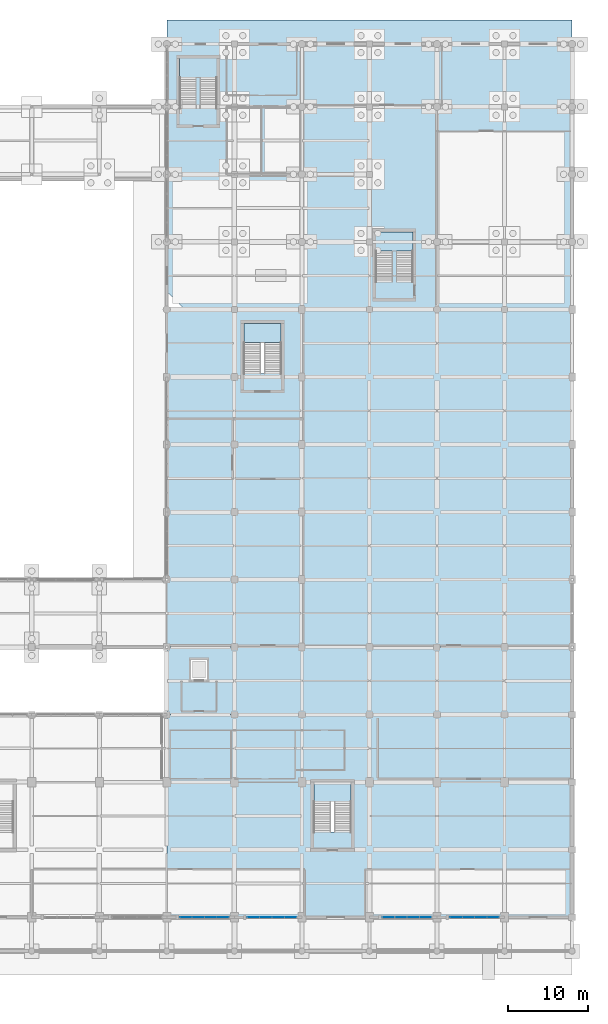
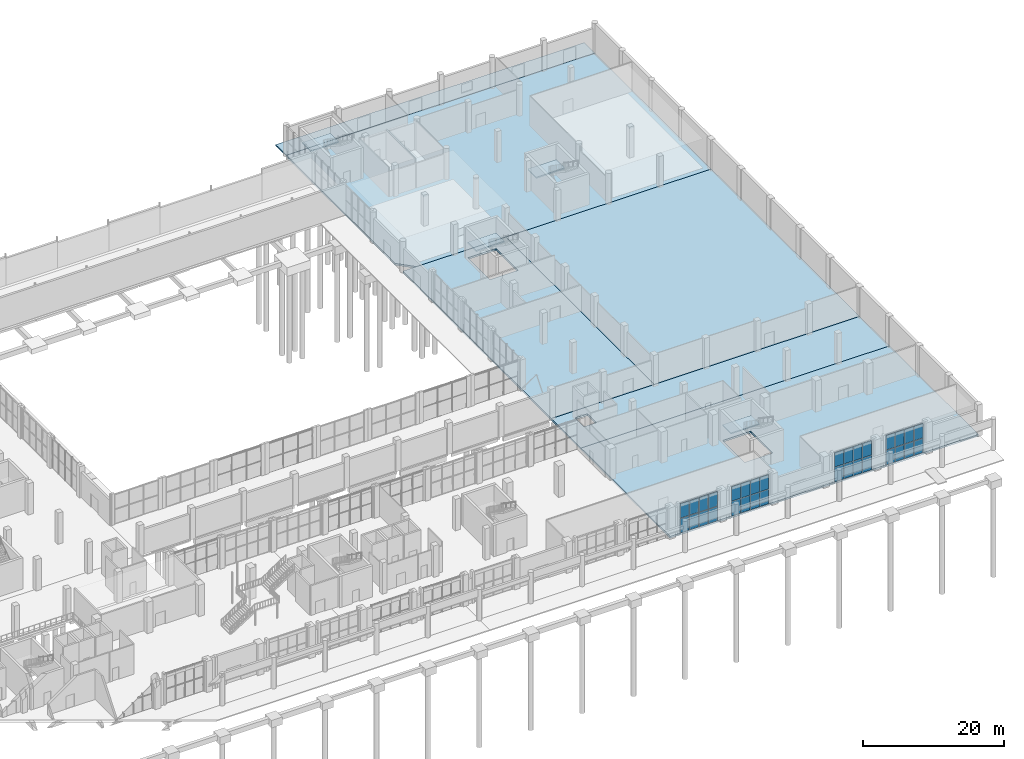
# One storey, part 60 of 82: 32 plates, 10 slabs, 8 elements without a shape of their own.
"""IFC4 building model written with IfcOpenShell, lengths in metres."""

import ifcopenshell
import ifcopenshell.guid

model = None  # the IFC model being written
_history = None  # IfcOwnerHistory: only IFC2X3 demands one
_inside = {}  # id of a spatial element -> (the spatial element, [elements in it])
_under = {}  # id of a project, library or spatial element -> (it, [spatial elements below it])
_declared = {}  # id of a project -> (the project, [libraries it declares])
_typed = {}  # id of a type object -> (the type object, [elements of that type])
_made_of = {}  # id of a material, layer set ... -> (it, [elements and type objects made of it])


def new_model(schema):
    """Start an empty IFC model of exactly this schema.

    Asked for "IFC4X3", IfcOpenShell would pick the latest addendum, in which some entities
    have other attributes; the version numbers below select the first issue.
    IFC2X3 requires an IfcOwnerHistory on every rooted entity: one is made here for all.
    """
    global model, _history
    if schema == "IFC4X3":
        model = ifcopenshell.file(schema_version=(4, 3, 0, 0))
    else:
        model = ifcopenshell.file(schema=schema)
    _inside.clear()
    _under.clear()
    _declared.clear()
    _typed.clear()
    _made_of.clear()
    _history = None
    if model.schema == "IFC2X3":
        org = make("IfcOrganization", Name="unknown")
        user = make(
            "IfcPersonAndOrganization",
            ThePerson=make("IfcPerson", FamilyName="unknown"),
            TheOrganization=org,
        )
        app = make(
            "IfcApplication",
            ApplicationDeveloper=org,
            Version="unknown",
            ApplicationFullName="unknown",
            ApplicationIdentifier="unknown",
        )
        _history = make(
            "IfcOwnerHistory",
            OwningUser=user,
            OwningApplication=app,
            ChangeAction="ADDED",
            CreationDate=0,
        )
    return model


def make(cls, **values):
    """One entity of the class cls with the attributes given. An attribute that is None is left unset."""
    return model.create_entity(
        cls, **{name: value for name, value in values.items() if value is not None}
    )


def rooted(cls, **values):
    """An entity with a GlobalId (a new one), such as an element, a storey or a relation."""
    return make(cls, GlobalId=ifcopenshell.guid.new(), OwnerHistory=_history, **values)


def si_unit(unit_type, name, prefix=None):
    """IfcSIUnit, for example si_unit("LENGTHUNIT", "METRE", prefix="MILLI")."""
    return make("IfcSIUnit", UnitType=unit_type, Prefix=prefix, Name=name)


def derived_unit(unit_type, elements):
    """IfcDerivedUnit: a product of units, each with its exponent."""
    return make(
        "IfcDerivedUnit",
        Elements=[
            make("IfcDerivedUnitElement", Unit=unit, Exponent=power)
            for unit, power in elements
        ],
        UnitType=unit_type,
    )


def assignment(units):
    """IfcUnitAssignment: the units of a project."""
    return None if units is None else make("IfcUnitAssignment", Units=units)


def point(xyz):
    """IfcCartesianPoint."""
    return None if xyz is None else make("IfcCartesianPoint", Coordinates=xyz)


def direction(xyz):
    """IfcDirection."""
    return None if xyz is None else make("IfcDirection", DirectionRatios=xyz)


def frame(location, z_axis=None, x_axis=None):
    """IfcAxis2Placement3D, a coordinate frame: its origin and axes. An axis left out is left unset."""
    return make(
        "IfcAxis2Placement3D",
        Location=point(location),
        Axis=direction(z_axis),
        RefDirection=direction(x_axis),
    )


def frame_2d(location, x_axis=None):
    """IfcAxis2Placement2D, a coordinate frame in the plane: its origin and x axis."""
    return make(
        "IfcAxis2Placement2D", Location=point(location), RefDirection=direction(x_axis)
    )


def origin():
    """The frame at (0, 0, 0) with its axes left unset."""
    return frame((0.0, 0.0, 0.0))


def origin_2d():
    """The frame at (0, 0) in the plane with its x axis left unset."""
    return frame_2d((0.0, 0.0))


def place(relative_to, where):
    """IfcLocalPlacement: puts the frame where relative to a parent placement (None: the world)."""
    return make(
        "IfcLocalPlacement", PlacementRelTo=relative_to, RelativePlacement=where
    )


def context(
    kind, dimensions, precision=None, world=None, true_north=None, identifier=None
):
    """IfcGeometricRepresentationContext, for example the 3D "Model" context."""
    return make(
        "IfcGeometricRepresentationContext",
        ContextIdentifier=identifier,
        ContextType=kind,
        CoordinateSpaceDimension=dimensions,
        Precision=precision,
        WorldCoordinateSystem=world,
        TrueNorth=true_north,
    )


def subcontext(parent, identifier, kind, view, scale=None):
    """IfcGeometricRepresentationSubContext, for example "Body" below "Model"."""
    return make(
        "IfcGeometricRepresentationSubContext",
        ContextIdentifier=identifier,
        ContextType=kind,
        ParentContext=parent,
        TargetScale=scale,
        TargetView=view,
    )


def project(units=None, contexts=None):
    """IfcProject with its units and contexts."""
    return rooted(
        "IfcProject",
        Name="project",
        RepresentationContexts=contexts,
        UnitsInContext=assignment(units),
    )


def spatial(cls, under=None, at=None, **own):
    """A site, building, storey or space (cls), placed at a placement, below another one or the project."""
    s = rooted(cls, ObjectPlacement=at, **own)
    if under is not None:
        _under.setdefault(under.id(), (under, []))[1].append(s)
    return s


def polyline(points):
    """IfcPolyline through the points."""
    return make("IfcPolyline", Points=[point(p) for p in points])


def profile(cls, at=None, kind="AREA", **sizes):
    """A parametric profile (cls). Its sizes go by their IFC names, for example OverallWidth=200.0."""
    return make(cls, ProfileType=kind, Position=at, **sizes)


def rectangle(**sizes):
    """IfcRectangleProfileDef."""
    return profile("IfcRectangleProfileDef", **sizes)


def outline(outer, holes=None, kind="AREA"):
    """IfcArbitraryClosedProfileDef: a profile drawn as a closed curve; with holes, ...WithVoids."""
    if holes is None:
        return make("IfcArbitraryClosedProfileDef", ProfileType=kind, OuterCurve=outer)
    return make(
        "IfcArbitraryProfileDefWithVoids",
        ProfileType=kind,
        OuterCurve=outer,
        InnerCurves=holes,
    )


def extrude(swept, where, along, depth):
    """IfcExtrudedAreaSolid: the profile swept, set in the frame where, extruded along a direction by depth."""
    return make(
        "IfcExtrudedAreaSolid",
        SweptArea=swept,
        Position=where,
        ExtrudedDirection=direction(along),
        Depth=depth,
    )


def shape(context_of_items, identifier, shape_type, items):
    """IfcShapeRepresentation: the items that make up one representation, for example the "Body"."""
    return make(
        "IfcShapeRepresentation",
        ContextOfItems=context_of_items,
        RepresentationIdentifier=identifier,
        RepresentationType=shape_type,
        Items=items,
    )


def material(Name=None, Category=None):
    """IfcMaterial."""
    return make("IfcMaterial", Name=Name, Category=Category)


def layer(
    of_material, thickness, ventilated=None, Name=None, Category=None, Priority=None
):
    """IfcMaterialLayer: one layer of a wall or slab, of a material (None: an air gap)."""
    return make(
        "IfcMaterialLayer",
        Material=of_material,
        LayerThickness=thickness,
        IsVentilated=ventilated,
        Name=Name,
        Category=Category,
        Priority=Priority,
    )


def layer_set(layers, Name=None):
    """IfcMaterialLayerSet."""
    return make("IfcMaterialLayerSet", MaterialLayers=layers, LayerSetName=Name)


def made_of(thing, what):
    """Note that an element or type object is made of a material, layer set ...; save() writes the relation."""
    if what is not None:
        _made_of.setdefault(what.id(), (what, []))[1].append(thing)
    return thing


def type_object(cls, material=None, **own):
    """A type object (cls), such as IfcWallType, which elements share."""
    return made_of(rooted(cls, **own), material)


def element(
    cls,
    number,
    at=None,
    inside=None,
    cuts=None,
    type_object=None,
    material=None,
    context=None,
    identifier="Body",
    shape_type=None,
    held_by="IfcProductDefinitionShape",
    body=None,
    shapes=None,
    **own,
):
    """One element of the class cls, such as IfcWall. Its Tag is "e" and its number.

    at: its placement. inside: the storey or other place that contains it. cuts: it is an
    opening in that element (IfcRelVoidsElement). A single representation is given by context,
    identifier, shape_type and body (its items); several are given by shapes. held_by: the class
    of the entity that holds the representations. save() writes the other relations.
    """
    e = rooted(cls, Tag="e%d" % number, ObjectPlacement=at, **own)
    if body is not None:
        shapes = [shape(context, identifier, shape_type, body)]
    if shapes is not None:
        e.Representation = make(held_by, Representations=shapes)
    if inside is not None:
        _inside.setdefault(inside.id(), (inside, []))[1].append(e)
    if cuts is not None:
        rooted(
            "IfcRelVoidsElement", RelatingBuildingElement=cuts, RelatedOpeningElement=e
        )
    if type_object is not None:
        _typed.setdefault(type_object.id(), (type_object, []))[1].append(e)
    return made_of(e, material)


def aggregate(whole, parts):
    """IfcRelAggregates: a whole, such as a stair, and the parts it consists of."""
    return rooted("IfcRelAggregates", RelatingObject=whole, RelatedObjects=parts)


def save(model, path):
    """Write the relations noted so far, then the file.

    IfcRelAggregates (storeys below a building ...), IfcRelContainedInSpatialStructure (elements
    in a storey), IfcRelDefinesByType, IfcRelAssociatesMaterial and IfcRelDeclares: one each for
    every whole, place, type object, material and project.
    """
    for whole, parts in _under.values():
        aggregate(whole, parts)
    for where, things in _inside.values():
        rooted(
            "IfcRelContainedInSpatialStructure",
            RelatedElements=things,
            RelatingStructure=where,
        )
    for kind, things in _typed.values():
        rooted("IfcRelDefinesByType", RelatedObjects=things, RelatingType=kind)
    for what, things in _made_of.values():
        rooted("IfcRelAssociatesMaterial", RelatedObjects=things, RelatingMaterial=what)
    for by, libraries in _declared.values():
        rooted("IfcRelDeclares", RelatingContext=by, RelatedDefinitions=libraries)
    model.write(path)


model = new_model("IFC4")

# Units and contexts
model_context = context("Model", 3, precision=1e-05, world=origin(), true_north=direction((0.0, 1.0)))
body_context = subcontext(model_context, "Body", "Model", "MODEL_VIEW")
ifc_project = project(units=[si_unit("LENGTHUNIT", "METRE"), si_unit("AREAUNIT", "SQUARE_METRE"), si_unit("VOLUMEUNIT", "CUBIC_METRE"), si_unit("PLANEANGLEUNIT", "RADIAN"), si_unit("MASSUNIT", "GRAM", prefix="KILO"), derived_unit("THERMALTRANSMITTANCEUNIT", [(si_unit("POWERUNIT", "WATT"), 1), (si_unit("LENGTHUNIT", "METRE"), -2), (si_unit("THERMODYNAMICTEMPERATUREUNIT", "KELVIN"), -1)])], contexts=[model_context])

# Site, building, storey
site_placement = place(None, origin())
site = spatial("IfcSite", under=ifc_project, at=site_placement, CompositionType="ELEMENT")
building_placement = place(site_placement, origin())
building = spatial("IfcBuilding", under=site, at=building_placement, Name="Barrovel Congress Hotel", CompositionType="ELEMENT")
storey_placement = place(building_placement, origin())
storey = spatial("IfcBuildingStorey", under=building, at=storey_placement, Name="L00", CompositionType="ELEMENT", Elevation=0.0)

# Curtain wall, plates
ifc_material_1 = material(Name="Anodised Aluminium Alloy 6063-T6", Category="aluminium")
curtain_wall_type = type_object("IfcCurtainWallType", Name="CW-ST-7200x4800", PredefinedType="USERDEFINED", material=ifc_material_1)
curtain_wall_1_placement = place(storey_placement, origin())
curtain_wall_1 = element("IfcCurtainWall", 1, at=curtain_wall_1_placement, inside=storey, type_object=curtain_wall_type, Name="CW:L00:S:16", ObjectType="STICK CURTAIN WALL", PredefinedType="USERDEFINED")
ifc_material_2 = material(Name="Double Low-E Insulated Glazing", Category="glass")
ifc_layer_1 = layer(ifc_material_2, 0.028076171875)
ifc_layer_set_1 = layer_set([ifc_layer_1], Name="Double Low-E Insulated Glazing")
plate_type_1 = type_object("IfcPlateType", Name="CWP-28", PredefinedType="CURTAIN_PANEL", material=ifc_layer_set_1)
plate_1_placement = place(storey_placement, frame((136.784912109375, 4.199951171875, 0.030029296875), z_axis=(0.0, 0.0, 1.0), x_axis=(1.0, 0.0, 0.0)))
plate_1 = element("IfcPlate", 2, at=plate_1_placement, type_object=plate_type_1, Name="CW:L00:S:16:P0-0", PredefinedType="CURTAIN_PANEL", context=body_context, shape_type="SweptSolid", body=[
    extrude(rectangle(XDim=1.469970703125, YDim=0.028076171875, at=origin_2d()), origin(), (0.0, 0.0, 1.0), 2.5),
])
plate_2_placement = place(storey_placement, frame((136.784912109375, 4.199951171875, 2.590087890625), z_axis=(0.0, 0.0, 1.0), x_axis=(1.0, 0.0, 0.0)))
plate_2 = element("IfcPlate", 3, at=plate_2_placement, type_object=plate_type_1, Name="CW:L00:S:16:P0-1", PredefinedType="CURTAIN_PANEL", context=body_context, shape_type="SweptSolid", body=[
    extrude(rectangle(XDim=1.469970703125, YDim=0.028076171875, at=origin_2d()), origin(), (0.0, 0.0, 1.0), 2.5),
])
plate_3_placement = place(storey_placement, frame((138.31494140625, 4.199951171875, 0.030029296875), z_axis=(0.0, 0.0, 1.0), x_axis=(1.0, 0.0, 0.0)))
plate_3 = element("IfcPlate", 4, at=plate_3_placement, type_object=plate_type_1, Name="CW:L00:S:16:P1-0", PredefinedType="CURTAIN_PANEL", context=body_context, shape_type="SweptSolid", body=[
    extrude(rectangle(XDim=1.469970703125, YDim=0.028076171875, at=origin_2d()), origin(), (0.0, 0.0, 1.0), 2.5),
])
plate_4_placement = place(storey_placement, frame((138.31494140625, 4.199951171875, 2.590087890625), z_axis=(0.0, 0.0, 1.0), x_axis=(1.0, 0.0, 0.0)))
plate_4 = element("IfcPlate", 5, at=plate_4_placement, type_object=plate_type_1, Name="CW:L00:S:16:P1-1", PredefinedType="CURTAIN_PANEL", context=body_context, shape_type="SweptSolid", body=[
    extrude(rectangle(XDim=1.469970703125, YDim=0.028076171875, at=origin_2d()), origin(), (0.0, 0.0, 1.0), 2.5),
])
plate_5_placement = place(storey_placement, frame((139.844970703125, 4.199951171875, 0.030029296875), z_axis=(0.0, 0.0, 1.0), x_axis=(1.0, 0.0, 0.0)))
plate_5 = element("IfcPlate", 6, at=plate_5_placement, type_object=plate_type_1, Name="CW:L00:S:16:P2-0", PredefinedType="CURTAIN_PANEL", context=body_context, shape_type="SweptSolid", body=[
    extrude(rectangle(XDim=1.469970703125, YDim=0.028076171875, at=origin_2d()), origin(), (0.0, 0.0, 1.0), 2.5),
])
plate_6_placement = place(storey_placement, frame((139.844970703125, 4.199951171875, 2.590087890625), z_axis=(0.0, 0.0, 1.0), x_axis=(1.0, 0.0, 0.0)))
plate_6 = element("IfcPlate", 7, at=plate_6_placement, type_object=plate_type_1, Name="CW:L00:S:16:P2-1", PredefinedType="CURTAIN_PANEL", context=body_context, shape_type="SweptSolid", body=[
    extrude(rectangle(XDim=1.469970703125, YDim=0.028076171875, at=origin_2d()), origin(), (0.0, 0.0, 1.0), 2.5),
])
plate_7_placement = place(storey_placement, frame((141.375, 4.199951171875, 0.030029296875), z_axis=(0.0, 0.0, 1.0), x_axis=(1.0, 0.0, 0.0)))
plate_7 = element("IfcPlate", 8, at=plate_7_placement, type_object=plate_type_1, Name="CW:L00:S:16:P3-0", PredefinedType="CURTAIN_PANEL", context=body_context, shape_type="SweptSolid", body=[
    extrude(rectangle(XDim=1.469970703125, YDim=0.028076171875, at=origin_2d()), origin(), (0.0, 0.0, 1.0), 2.5),
])
plate_8_placement = place(storey_placement, frame((141.375, 4.199951171875, 2.590087890625), z_axis=(0.0, 0.0, 1.0), x_axis=(1.0, 0.0, 0.0)))
plate_8 = element("IfcPlate", 9, at=plate_8_placement, type_object=plate_type_1, Name="CW:L00:S:16:P3-1", PredefinedType="CURTAIN_PANEL", context=body_context, shape_type="SweptSolid", body=[
    extrude(rectangle(XDim=1.469970703125, YDim=0.028076171875, at=origin_2d()), origin(), (0.0, 0.0, 1.0), 2.5),
])
aggregate(curtain_wall_1, [plate_1, plate_2, plate_3, plate_4, plate_5, plate_6, plate_7, plate_8])

curtain_wall_2_placement = place(storey_placement, origin())
curtain_wall_2 = element("IfcCurtainWall", 10, at=curtain_wall_2_placement, inside=storey, type_object=curtain_wall_type, Name="CW:L00:S:19", ObjectType="STICK CURTAIN WALL", PredefinedType="USERDEFINED")
plate_9_placement = place(storey_placement, frame((161.985107421875, 4.199951171875, 0.030029296875), z_axis=(0.0, 0.0, 1.0), x_axis=(1.0, 0.0, 0.0)))
plate_9 = element("IfcPlate", 11, at=plate_9_placement, type_object=plate_type_1, Name="CW:L00:S:19:P0-0", PredefinedType="CURTAIN_PANEL", context=body_context, shape_type="SweptSolid", body=[
    extrude(rectangle(XDim=1.469970703125, YDim=0.028076171875, at=origin_2d()), origin(), (0.0, 0.0, 1.0), 2.5),
])
plate_10_placement = place(storey_placement, frame((161.985107421875, 4.199951171875, 2.590087890625), z_axis=(0.0, 0.0, 1.0), x_axis=(1.0, 0.0, 0.0)))
plate_10 = element("IfcPlate", 12, at=plate_10_placement, type_object=plate_type_1, Name="CW:L00:S:19:P0-1", PredefinedType="CURTAIN_PANEL", context=body_context, shape_type="SweptSolid", body=[
    extrude(rectangle(XDim=1.469970703125, YDim=0.028076171875, at=origin_2d()), origin(), (0.0, 0.0, 1.0), 2.5),
])
plate_11_placement = place(storey_placement, frame((163.514892578125, 4.199951171875, 0.030029296875), z_axis=(0.0, 0.0, 1.0), x_axis=(1.0, 0.0, 0.0)))
plate_11 = element("IfcPlate", 13, at=plate_11_placement, type_object=plate_type_1, Name="CW:L00:S:19:P1-0", PredefinedType="CURTAIN_PANEL", context=body_context, shape_type="SweptSolid", body=[
    extrude(rectangle(XDim=1.469970703125, YDim=0.028076171875, at=origin_2d()), origin(), (0.0, 0.0, 1.0), 2.5),
])
plate_12_placement = place(storey_placement, frame((163.514892578125, 4.199951171875, 2.590087890625), z_axis=(0.0, 0.0, 1.0), x_axis=(1.0, 0.0, 0.0)))
plate_12 = element("IfcPlate", 14, at=plate_12_placement, type_object=plate_type_1, Name="CW:L00:S:19:P1-1", PredefinedType="CURTAIN_PANEL", context=body_context, shape_type="SweptSolid", body=[
    extrude(rectangle(XDim=1.469970703125, YDim=0.028076171875, at=origin_2d()), origin(), (0.0, 0.0, 1.0), 2.5),
])
plate_13_placement = place(storey_placement, frame((165.044921875, 4.199951171875, 0.030029296875), z_axis=(0.0, 0.0, 1.0), x_axis=(1.0, 0.0, 0.0)))
plate_13 = element("IfcPlate", 15, at=plate_13_placement, type_object=plate_type_1, Name="CW:L00:S:19:P2-0", PredefinedType="CURTAIN_PANEL", context=body_context, shape_type="SweptSolid", body=[
    extrude(rectangle(XDim=1.469970703125, YDim=0.028076171875, at=origin_2d()), origin(), (0.0, 0.0, 1.0), 2.5),
])
plate_14_placement = place(storey_placement, frame((165.044921875, 4.199951171875, 2.590087890625), z_axis=(0.0, 0.0, 1.0), x_axis=(1.0, 0.0, 0.0)))
plate_14 = element("IfcPlate", 16, at=plate_14_placement, type_object=plate_type_1, Name="CW:L00:S:19:P2-1", PredefinedType="CURTAIN_PANEL", context=body_context, shape_type="SweptSolid", body=[
    extrude(rectangle(XDim=1.469970703125, YDim=0.028076171875, at=origin_2d()), origin(), (0.0, 0.0, 1.0), 2.5),
])
plate_15_placement = place(storey_placement, frame((166.574951171875, 4.199951171875, 0.030029296875), z_axis=(0.0, 0.0, 1.0), x_axis=(1.0, 0.0, 0.0)))
plate_15 = element("IfcPlate", 17, at=plate_15_placement, type_object=plate_type_1, Name="CW:L00:S:19:P3-0", PredefinedType="CURTAIN_PANEL", context=body_context, shape_type="SweptSolid", body=[
    extrude(rectangle(XDim=1.469970703125, YDim=0.028076171875, at=origin_2d()), origin(), (0.0, 0.0, 1.0), 2.5),
])
plate_16_placement = place(storey_placement, frame((166.574951171875, 4.199951171875, 2.590087890625), z_axis=(0.0, 0.0, 1.0), x_axis=(1.0, 0.0, 0.0)))
plate_16 = element("IfcPlate", 18, at=plate_16_placement, type_object=plate_type_1, Name="CW:L00:S:19:P3-1", PredefinedType="CURTAIN_PANEL", context=body_context, shape_type="SweptSolid", body=[
    extrude(rectangle(XDim=1.469970703125, YDim=0.028076171875, at=origin_2d()), origin(), (0.0, 0.0, 1.0), 2.5),
])
aggregate(curtain_wall_2, [plate_9, plate_10, plate_11, plate_12, plate_13, plate_14, plate_15, plate_16])

curtain_wall_3_placement = place(storey_placement, origin())
curtain_wall_3 = element("IfcCurtainWall", 19, at=curtain_wall_3_placement, inside=storey, type_object=curtain_wall_type, Name="CW:L00:S:15", ObjectType="STICK CURTAIN WALL", PredefinedType="USERDEFINED")
ifc_layer_2 = layer(ifc_material_2, 0.031982421875)
ifc_layer_set_2 = layer_set([ifc_layer_2], Name="Double Low-E Insulated Glazing")
plate_type_2 = type_object("IfcPlateType", Name="CWP-32", PredefinedType="CURTAIN_PANEL", material=ifc_layer_set_2)
plate_17_placement = place(storey_placement, frame((128.385009765625, 4.199951171875, 0.030029296875), z_axis=(0.0, 0.0, 1.0), x_axis=(1.0, 0.0, 0.0)))
plate_17 = element("IfcPlate", 20, at=plate_17_placement, type_object=plate_type_2, Name="CW:L00:S:15:P0-0", PredefinedType="CURTAIN_PANEL", context=body_context, shape_type="SweptSolid", body=[
    extrude(rectangle(XDim=1.469970703125, YDim=0.031982421875, at=origin_2d()), origin(), (0.0, 0.0, 1.0), 2.5),
])
plate_18_placement = place(storey_placement, frame((128.385009765625, 4.199951171875, 2.590087890625), z_axis=(0.0, 0.0, 1.0), x_axis=(1.0, 0.0, 0.0)))
plate_18 = element("IfcPlate", 21, at=plate_18_placement, type_object=plate_type_2, Name="CW:L00:S:15:P0-1", PredefinedType="CURTAIN_PANEL", context=body_context, shape_type="SweptSolid", body=[
    extrude(rectangle(XDim=1.469970703125, YDim=0.031982421875, at=origin_2d()), origin(), (0.0, 0.0, 1.0), 2.5),
])
plate_19_placement = place(storey_placement, frame((129.9150390625, 4.199951171875, 0.030029296875), z_axis=(0.0, 0.0, 1.0), x_axis=(1.0, 0.0, 0.0)))
plate_19 = element("IfcPlate", 22, at=plate_19_placement, type_object=plate_type_2, Name="CW:L00:S:15:P1-0", PredefinedType="CURTAIN_PANEL", context=body_context, shape_type="SweptSolid", body=[
    extrude(rectangle(XDim=1.469970703125, YDim=0.031982421875, at=origin_2d()), origin(), (0.0, 0.0, 1.0), 2.5),
])
plate_20_placement = place(storey_placement, frame((129.9150390625, 4.199951171875, 2.590087890625), z_axis=(0.0, 0.0, 1.0), x_axis=(1.0, 0.0, 0.0)))
plate_20 = element("IfcPlate", 23, at=plate_20_placement, type_object=plate_type_2, Name="CW:L00:S:15:P1-1", PredefinedType="CURTAIN_PANEL", context=body_context, shape_type="SweptSolid", body=[
    extrude(rectangle(XDim=1.469970703125, YDim=0.031982421875, at=origin_2d()), origin(), (0.0, 0.0, 1.0), 2.5),
])
plate_21_placement = place(storey_placement, frame((131.445068359375, 4.199951171875, 0.030029296875), z_axis=(0.0, 0.0, 1.0), x_axis=(1.0, 0.0, 0.0)))
plate_21 = element("IfcPlate", 24, at=plate_21_placement, type_object=plate_type_2, Name="CW:L00:S:15:P2-0", PredefinedType="CURTAIN_PANEL", context=body_context, shape_type="SweptSolid", body=[
    extrude(rectangle(XDim=1.469970703125, YDim=0.031982421875, at=origin_2d()), origin(), (0.0, 0.0, 1.0), 2.5),
])
plate_22_placement = place(storey_placement, frame((131.445068359375, 4.199951171875, 2.590087890625), z_axis=(0.0, 0.0, 1.0), x_axis=(1.0, 0.0, 0.0)))
plate_22 = element("IfcPlate", 25, at=plate_22_placement, type_object=plate_type_2, Name="CW:L00:S:15:P2-1", PredefinedType="CURTAIN_PANEL", context=body_context, shape_type="SweptSolid", body=[
    extrude(rectangle(XDim=1.469970703125, YDim=0.031982421875, at=origin_2d()), origin(), (0.0, 0.0, 1.0), 2.5),
])
plate_23_placement = place(storey_placement, frame((132.97509765625, 4.199951171875, 0.030029296875), z_axis=(0.0, 0.0, 1.0), x_axis=(1.0, 0.0, 0.0)))
plate_23 = element("IfcPlate", 26, at=plate_23_placement, type_object=plate_type_2, Name="CW:L00:S:15:P3-0", PredefinedType="CURTAIN_PANEL", context=body_context, shape_type="SweptSolid", body=[
    extrude(rectangle(XDim=1.469970703125, YDim=0.031982421875, at=origin_2d()), origin(), (0.0, 0.0, 1.0), 2.5),
])
plate_24_placement = place(storey_placement, frame((132.97509765625, 4.199951171875, 2.590087890625), z_axis=(0.0, 0.0, 1.0), x_axis=(1.0, 0.0, 0.0)))
plate_24 = element("IfcPlate", 27, at=plate_24_placement, type_object=plate_type_2, Name="CW:L00:S:15:P3-1", PredefinedType="CURTAIN_PANEL", context=body_context, shape_type="SweptSolid", body=[
    extrude(rectangle(XDim=1.469970703125, YDim=0.031982421875, at=origin_2d()), origin(), (0.0, 0.0, 1.0), 2.5),
])
aggregate(curtain_wall_3, [plate_17, plate_18, plate_19, plate_20, plate_21, plate_22, plate_23, plate_24])

curtain_wall_4_placement = place(storey_placement, origin())
curtain_wall_4 = element("IfcCurtainWall", 28, at=curtain_wall_4_placement, inside=storey, type_object=curtain_wall_type, Name="CW:L00:S:18", ObjectType="STICK CURTAIN WALL", PredefinedType="USERDEFINED")
plate_25_placement = place(storey_placement, frame((153.5849609375, 4.199951171875, 0.030029296875), z_axis=(0.0, 0.0, 1.0), x_axis=(1.0, 0.0, 0.0)))
plate_25 = element("IfcPlate", 29, at=plate_25_placement, type_object=plate_type_2, Name="CW:L00:S:18:P0-0", PredefinedType="CURTAIN_PANEL", context=body_context, shape_type="SweptSolid", body=[
    extrude(rectangle(XDim=1.469970703125, YDim=0.031982421875, at=origin_2d()), origin(), (0.0, 0.0, 1.0), 2.5),
])
plate_26_placement = place(storey_placement, frame((153.5849609375, 4.199951171875, 2.590087890625), z_axis=(0.0, 0.0, 1.0), x_axis=(1.0, 0.0, 0.0)))
plate_26 = element("IfcPlate", 30, at=plate_26_placement, type_object=plate_type_2, Name="CW:L00:S:18:P0-1", PredefinedType="CURTAIN_PANEL", context=body_context, shape_type="SweptSolid", body=[
    extrude(rectangle(XDim=1.469970703125, YDim=0.031982421875, at=origin_2d()), origin(), (0.0, 0.0, 1.0), 2.5),
])
plate_27_placement = place(storey_placement, frame((155.114990234375, 4.199951171875, 0.030029296875), z_axis=(0.0, 0.0, 1.0), x_axis=(1.0, 0.0, 0.0)))
plate_27 = element("IfcPlate", 31, at=plate_27_placement, type_object=plate_type_2, Name="CW:L00:S:18:P1-0", PredefinedType="CURTAIN_PANEL", context=body_context, shape_type="SweptSolid", body=[
    extrude(rectangle(XDim=1.469970703125, YDim=0.031982421875, at=origin_2d()), origin(), (0.0, 0.0, 1.0), 2.5),
])
plate_28_placement = place(storey_placement, frame((155.114990234375, 4.199951171875, 2.590087890625), z_axis=(0.0, 0.0, 1.0), x_axis=(1.0, 0.0, 0.0)))
plate_28 = element("IfcPlate", 32, at=plate_28_placement, type_object=plate_type_2, Name="CW:L00:S:18:P1-1", PredefinedType="CURTAIN_PANEL", context=body_context, shape_type="SweptSolid", body=[
    extrude(rectangle(XDim=1.469970703125, YDim=0.031982421875, at=origin_2d()), origin(), (0.0, 0.0, 1.0), 2.5),
])
plate_29_placement = place(storey_placement, frame((156.64501953125, 4.199951171875, 0.030029296875), z_axis=(0.0, 0.0, 1.0), x_axis=(1.0, 0.0, 0.0)))
plate_29 = element("IfcPlate", 33, at=plate_29_placement, type_object=plate_type_2, Name="CW:L00:S:18:P2-0", PredefinedType="CURTAIN_PANEL", context=body_context, shape_type="SweptSolid", body=[
    extrude(rectangle(XDim=1.469970703125, YDim=0.031982421875, at=origin_2d()), origin(), (0.0, 0.0, 1.0), 2.5),
])
plate_30_placement = place(storey_placement, frame((156.64501953125, 4.199951171875, 2.590087890625), z_axis=(0.0, 0.0, 1.0), x_axis=(1.0, 0.0, 0.0)))
plate_30 = element("IfcPlate", 34, at=plate_30_placement, type_object=plate_type_2, Name="CW:L00:S:18:P2-1", PredefinedType="CURTAIN_PANEL", context=body_context, shape_type="SweptSolid", body=[
    extrude(rectangle(XDim=1.469970703125, YDim=0.031982421875, at=origin_2d()), origin(), (0.0, 0.0, 1.0), 2.5),
])
plate_31_placement = place(storey_placement, frame((158.175048828125, 4.199951171875, 0.030029296875), z_axis=(0.0, 0.0, 1.0), x_axis=(1.0, 0.0, 0.0)))
plate_31 = element("IfcPlate", 35, at=plate_31_placement, type_object=plate_type_2, Name="CW:L00:S:18:P3-0", PredefinedType="CURTAIN_PANEL", context=body_context, shape_type="SweptSolid", body=[
    extrude(rectangle(XDim=1.469970703125, YDim=0.031982421875, at=origin_2d()), origin(), (0.0, 0.0, 1.0), 2.5),
])
plate_32_placement = place(storey_placement, frame((158.175048828125, 4.199951171875, 2.590087890625), z_axis=(0.0, 0.0, 1.0), x_axis=(1.0, 0.0, 0.0)))
plate_32 = element("IfcPlate", 36, at=plate_32_placement, type_object=plate_type_2, Name="CW:L00:S:18:P3-1", PredefinedType="CURTAIN_PANEL", context=body_context, shape_type="SweptSolid", body=[
    extrude(rectangle(XDim=1.469970703125, YDim=0.031982421875, at=origin_2d()), origin(), (0.0, 0.0, 1.0), 2.5),
])
aggregate(curtain_wall_4, [plate_25, plate_26, plate_27, plate_28, plate_29, plate_30, plate_31, plate_32])

# Slabs
ifc_material_3 = material(Name="Concrete C35", Category="concrete")
ifc_layer_3 = layer(ifc_material_3, 0.320068359375)
ifc_layer_set_3 = layer_set([ifc_layer_3], Name="Concrete C35")
slab_type_1 = type_object("IfcSlabType", Name="SL-B320", PredefinedType="BASESLAB", material=ifc_layer_set_3)
slab_1_placement = place(storey_placement, frame((0.0, 0.0, -0.320068359375)))
element("IfcSlab", 37, at=slab_1_placement, inside=storey, type_object=slab_type_1, Name="SLAB:L00:V4-3", PredefinedType="BASESLAB", context=body_context, shape_type="SweptSolid", body=[
    extrude(outline(polyline([(126.0, 4.199951171875), (176.39990234375, 4.199951171875), (176.39990234375, 29.39990234375), (126.0, 29.39990234375), (126.0, 4.199951171875)]), holes=[polyline([(144.300048828125, 14.780029296875), (144.300048828125, 21.0), (148.89990234375, 21.0), (148.89990234375, 14.780029296875), (144.300048828125, 14.780029296875)])]), origin(), (0.0, 0.0, 1.0), 0.320068359375),
])
slab_2_placement = place(storey_placement, frame((0.0, 0.0, -0.320068359375)))
element("IfcSlab", 38, at=slab_2_placement, inside=storey, type_object=slab_type_1, Name="SLAB:L00:V4-5", PredefinedType="BASESLAB", context=body_context, shape_type="SweptSolid", body=[
    extrude(outline(polyline([(126.0, 29.39990234375), (176.39990234375, 29.39990234375), (176.39990234375, 37.800048828125), (126.0, 37.800048828125), (126.0, 29.39990234375)]), holes=[polyline([(129.0, 33.75), (129.0, 36.25), (131.0, 36.25), (131.0, 33.75), (129.0, 33.75)])]), origin(), (0.0, 0.0, 1.0), 0.320068359375),
])
slab_3_placement = place(storey_placement, frame((0.0, 0.0, -0.320068359375)))
element("IfcSlab", 39, at=slab_3_placement, inside=storey, type_object=slab_type_1, Name="SLAB:L00:V2-KIT", PredefinedType="BASESLAB", context=body_context, shape_type="SweptSolid", body=[
    extrude(outline(polyline([(126.0, 37.800048828125), (142.800048828125, 37.800048828125), (142.800048828125, 79.800048828125), (126.0, 79.800048828125), (126.0, 37.800048828125)]), holes=[polyline([(135.60009765625, 71.820068359375), (135.60009765625, 78.0400390625), (140.199951171875, 78.0400390625), (140.199951171875, 71.820068359375), (135.60009765625, 71.820068359375)])]), origin(), (0.0, 0.0, 1.0), 0.320068359375),
])
slab_4_placement = place(storey_placement, frame((0.0, 0.0, -0.320068359375)))
element("IfcSlab", 40, at=slab_4_placement, inside=storey, type_object=slab_type_1, Name="SLAB:L00:V2-BALL", PredefinedType="BASESLAB", context=body_context, shape_type="SweptSolid", body=[
    extrude(outline(polyline([(142.800048828125, 37.800048828125), (176.39990234375, 37.800048828125), (176.39990234375, 79.800048828125), (142.800048828125, 79.800048828125), (142.800048828125, 37.800048828125)])), origin(), (0.0, 0.0, 1.0), 0.320068359375),
])
slab_5_placement = place(storey_placement, frame((0.0, 0.0, -0.320068359375)))
element("IfcSlab", 41, at=slab_5_placement, inside=storey, type_object=slab_type_1, Name="SLAB:L00:V3-SPA", PredefinedType="BASESLAB", context=body_context, shape_type="SweptSolid", body=[
    extrude(outline(polyline([(128.199951171875, 79.800048828125), (176.39990234375, 79.800048828125), (176.39990234375, 112.800048828125), (126.0, 112.800048828125), (126.0, 82.0), (128.199951171875, 79.800048828125)])), origin(), (0.0, 0.0, 1.0), 0.320068359375),
])
ifc_layer_4 = layer(ifc_material_3, 0.179931640625)
ifc_layer_set_4 = layer_set([ifc_layer_4], Name="Concrete C35")
slab_type_2 = type_object("IfcSlabType", Name="SL-F180", PredefinedType="FLOOR", material=ifc_layer_set_4)
slab_6_placement = place(storey_placement, frame((0.0, 0.0, -0.179931640625)))
element("IfcSlab", 42, at=slab_6_placement, inside=storey, type_object=slab_type_2, Name="Exterior Stone Paving PAV-NORTH-SPA", PredefinedType="FLOOR", context=body_context, shape_type="SweptSolid", body=[
    extrude(outline(polyline([(126.0, 112.800048828125), (176.39990234375, 112.800048828125), (176.39990234375, 115.800048828125), (126.0, 115.800048828125), (126.0, 112.800048828125)])), origin(), (0.0, 0.0, 1.0), 0.179931640625),
])

# Stair, slab
ifc_material_4 = material(Name="Concrete C40", Category="concrete")
stair_type = type_object("IfcStairType", Name="STR-2Q-540", PredefinedType="TWO_QUARTER_TURN_STAIR", material=ifc_material_4)
stair_1_placement = place(storey_placement, origin())
stair_1 = element("IfcStair", 43, at=stair_1_placement, inside=storey, type_object=stair_type, Name="Exit Stair XS-04 (L00)", PredefinedType="TWO_QUARTER_TURN_STAIR")
ifc_layer_5 = layer(ifc_material_4, 0.18994140625)
ifc_layer_set_5 = layer_set([ifc_layer_5], Name="Concrete C40")
slab_type_3 = type_object("IfcSlabType", Name="SL-LDG-190", PredefinedType="LANDING", material=ifc_layer_set_5)
slab_7_placement = place(storey_placement, frame((0.0, 0.0, 2.510009765625)))
slab_7 = element("IfcSlab", 44, at=slab_7_placement, type_object=slab_type_3, Name="STAIR:XS-04:L00:LDG", PredefinedType="LANDING", context=body_context, shape_type="SweptSolid", body=[
    extrude(outline(polyline([(144.280029296875, 18.6298828125), (148.919921875, 18.6298828125), (148.919921875, 21.02001953125), (144.280029296875, 21.02001953125), (144.280029296875, 18.6298828125)])), origin(), (0.0, 0.0, 1.0), 0.18994140625),
])
aggregate(stair_1, [slab_7])

stair_2_placement = place(storey_placement, origin())
stair_2 = element("IfcStair", 45, at=stair_2_placement, inside=storey, type_object=stair_type, Name="Exit Stair XS-10 (L00)", PredefinedType="TWO_QUARTER_TURN_STAIR")
slab_8_placement = place(storey_placement, frame((0.0, 0.0, 2.510009765625)))
slab_8 = element("IfcSlab", 46, at=slab_8_placement, type_object=slab_type_3, Name="STAIR:XS-10:L00:LDG", PredefinedType="LANDING", context=body_context, shape_type="SweptSolid", body=[
    extrude(outline(polyline([(127.580078125, 108.669921875), (132.219970703125, 108.669921875), (132.219970703125, 111.06005859375), (127.580078125, 111.06005859375), (127.580078125, 108.669921875)])), origin(), (0.0, 0.0, 1.0), 0.18994140625),
])
aggregate(stair_2, [slab_8])

stair_3_placement = place(storey_placement, origin())
stair_3 = element("IfcStair", 47, at=stair_3_placement, inside=storey, type_object=stair_type, Name="Exit Stair XS-06 (L00)", PredefinedType="TWO_QUARTER_TURN_STAIR")
ifc_layer_6 = layer(ifc_material_4, 0.22998046875)
ifc_layer_set_6 = layer_set([ifc_layer_6], Name="Concrete C40")
slab_type_4 = type_object("IfcSlabType", Name="SL-LDG-230", PredefinedType="LANDING", material=ifc_layer_set_6)
slab_9_placement = place(storey_placement, frame((0.0, 0.0, 2.469970703125)))
slab_9 = element("IfcSlab", 48, at=slab_9_placement, type_object=slab_type_4, Name="STAIR:XS-06:L00:LDG", PredefinedType="LANDING", context=body_context, shape_type="SweptSolid", body=[
    extrude(outline(polyline([(151.97998046875, 87.070068359375), (156.6201171875, 87.070068359375), (156.6201171875, 89.4599609375), (151.97998046875, 89.4599609375), (151.97998046875, 87.070068359375)])), origin(), (0.0, 0.0, 1.0), 0.22998046875),
])
aggregate(stair_3, [slab_9])

stair_4_placement = place(storey_placement, origin())
stair_4 = element("IfcStair", 49, at=stair_4_placement, inside=storey, type_object=stair_type, Name="Exit Stair XS-09 (L00)", PredefinedType="TWO_QUARTER_TURN_STAIR")
slab_10_placement = place(storey_placement, frame((0.0, 0.0, 2.469970703125)))
slab_10 = element("IfcSlab", 50, at=slab_10_placement, type_object=slab_type_4, Name="STAIR:XS-09:L00:LDG", PredefinedType="LANDING", context=body_context, shape_type="SweptSolid", body=[
    extrude(outline(polyline([(135.580078125, 75.669921875), (140.219970703125, 75.669921875), (140.219970703125, 78.06005859375), (135.580078125, 78.06005859375), (135.580078125, 75.669921875)])), origin(), (0.0, 0.0, 1.0), 0.22998046875),
])
aggregate(stair_4, [slab_10])

save(model, "model.ifc")
